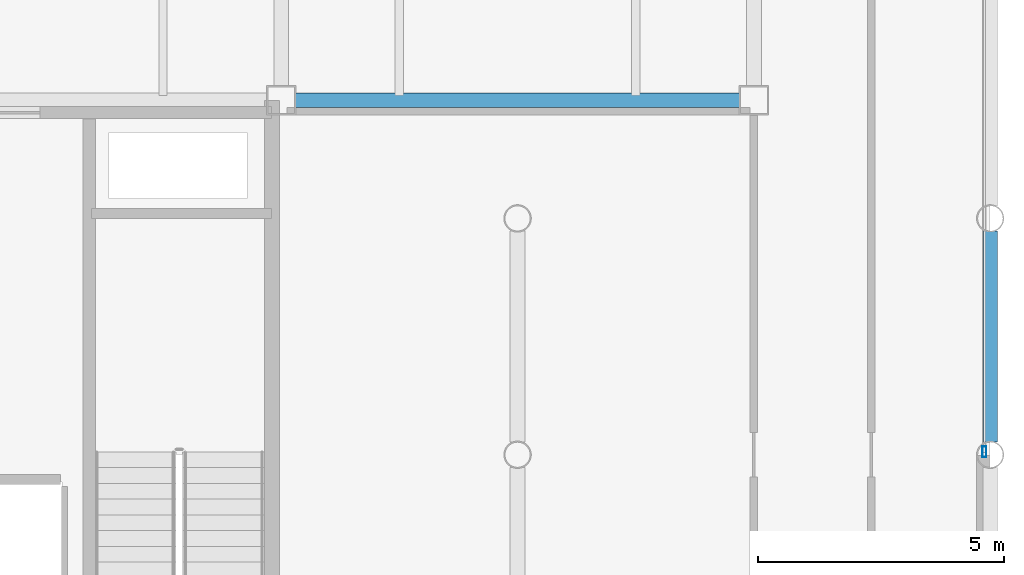
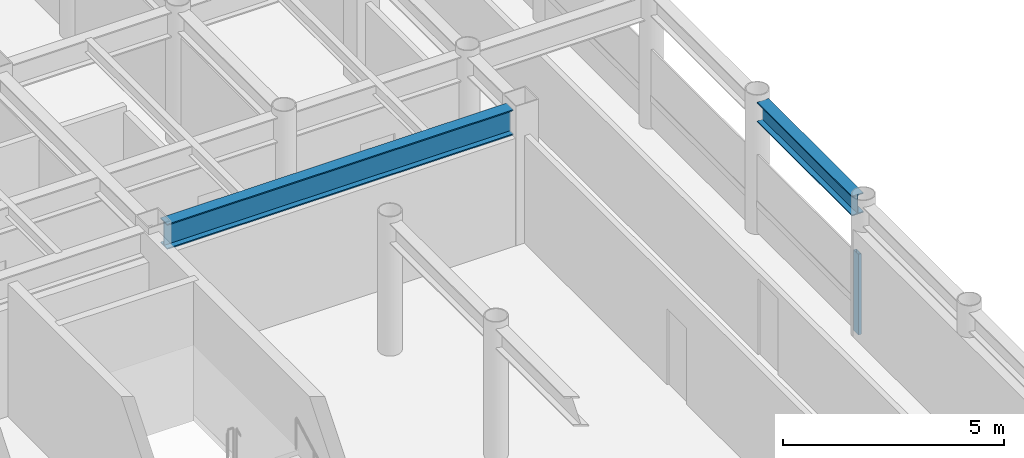
# One storey, part 10 of 22: 2 beams, 1 member, 1 element without a shape of its own.
"""IFC4 building model written with IfcOpenShell, lengths in metres."""

import ifcopenshell
import ifcopenshell.guid

model = None  # the IFC model being written
_history = None  # IfcOwnerHistory: only IFC2X3 demands one
_inside = {}  # id of a spatial element -> (the spatial element, [elements in it])
_under = {}  # id of a project, library or spatial element -> (it, [spatial elements below it])
_declared = {}  # id of a project -> (the project, [libraries it declares])
_typed = {}  # id of a type object -> (the type object, [elements of that type])
_made_of = {}  # id of a material, layer set ... -> (it, [elements and type objects made of it])


def new_model(schema):
    """Start an empty IFC model of exactly this schema.

    Asked for "IFC4X3", IfcOpenShell would pick the latest addendum, in which some entities
    have other attributes; the version numbers below select the first issue.
    IFC2X3 requires an IfcOwnerHistory on every rooted entity: one is made here for all.
    """
    global model, _history
    if schema == "IFC4X3":
        model = ifcopenshell.file(schema_version=(4, 3, 0, 0))
    else:
        model = ifcopenshell.file(schema=schema)
    _inside.clear()
    _under.clear()
    _declared.clear()
    _typed.clear()
    _made_of.clear()
    _history = None
    if model.schema == "IFC2X3":
        org = make("IfcOrganization", Name="unknown")
        user = make(
            "IfcPersonAndOrganization",
            ThePerson=make("IfcPerson", FamilyName="unknown"),
            TheOrganization=org,
        )
        app = make(
            "IfcApplication",
            ApplicationDeveloper=org,
            Version="unknown",
            ApplicationFullName="unknown",
            ApplicationIdentifier="unknown",
        )
        _history = make(
            "IfcOwnerHistory",
            OwningUser=user,
            OwningApplication=app,
            ChangeAction="ADDED",
            CreationDate=0,
        )
    return model


def make(cls, **values):
    """One entity of the class cls with the attributes given. An attribute that is None is left unset."""
    return model.create_entity(
        cls, **{name: value for name, value in values.items() if value is not None}
    )


def rooted(cls, **values):
    """An entity with a GlobalId (a new one), such as an element, a storey or a relation."""
    return make(cls, GlobalId=ifcopenshell.guid.new(), OwnerHistory=_history, **values)


def si_unit(unit_type, name, prefix=None):
    """IfcSIUnit, for example si_unit("LENGTHUNIT", "METRE", prefix="MILLI")."""
    return make("IfcSIUnit", UnitType=unit_type, Prefix=prefix, Name=name)


def assignment(units):
    """IfcUnitAssignment: the units of a project."""
    return None if units is None else make("IfcUnitAssignment", Units=units)


def point(xyz):
    """IfcCartesianPoint."""
    return None if xyz is None else make("IfcCartesianPoint", Coordinates=xyz)


def direction(xyz):
    """IfcDirection."""
    return None if xyz is None else make("IfcDirection", DirectionRatios=xyz)


def frame(location, z_axis=None, x_axis=None):
    """IfcAxis2Placement3D, a coordinate frame: its origin and axes. An axis left out is left unset."""
    return make(
        "IfcAxis2Placement3D",
        Location=point(location),
        Axis=direction(z_axis),
        RefDirection=direction(x_axis),
    )


def frame_2d(location, x_axis=None):
    """IfcAxis2Placement2D, a coordinate frame in the plane: its origin and x axis."""
    return make(
        "IfcAxis2Placement2D", Location=point(location), RefDirection=direction(x_axis)
    )


def origin():
    """The frame at (0, 0, 0) with its axes left unset."""
    return frame((0.0, 0.0, 0.0))


def origin_2d():
    """The frame at (0, 0) in the plane with its x axis left unset."""
    return frame_2d((0.0, 0.0))


def place(relative_to, where):
    """IfcLocalPlacement: puts the frame where relative to a parent placement (None: the world)."""
    return make(
        "IfcLocalPlacement", PlacementRelTo=relative_to, RelativePlacement=where
    )


def context(
    kind, dimensions, precision=None, world=None, true_north=None, identifier=None
):
    """IfcGeometricRepresentationContext, for example the 3D "Model" context."""
    return make(
        "IfcGeometricRepresentationContext",
        ContextIdentifier=identifier,
        ContextType=kind,
        CoordinateSpaceDimension=dimensions,
        Precision=precision,
        WorldCoordinateSystem=world,
        TrueNorth=true_north,
    )


def subcontext(parent, identifier, kind, view, scale=None):
    """IfcGeometricRepresentationSubContext, for example "Body" below "Model"."""
    return make(
        "IfcGeometricRepresentationSubContext",
        ContextIdentifier=identifier,
        ContextType=kind,
        ParentContext=parent,
        TargetScale=scale,
        TargetView=view,
    )


def project(units=None, contexts=None):
    """IfcProject with its units and contexts."""
    return rooted(
        "IfcProject",
        Name="project",
        RepresentationContexts=contexts,
        UnitsInContext=assignment(units),
    )


def spatial(cls, under=None, at=None, **own):
    """A site, building, storey or space (cls), placed at a placement, below another one or the project."""
    s = rooted(cls, ObjectPlacement=at, **own)
    if under is not None:
        _under.setdefault(under.id(), (under, []))[1].append(s)
    return s


def profile(cls, at=None, kind="AREA", **sizes):
    """A parametric profile (cls). Its sizes go by their IFC names, for example OverallWidth=200.0."""
    return make(cls, ProfileType=kind, Position=at, **sizes)


def hollow_rectangle(**sizes):
    """IfcRectangleHollowProfileDef."""
    return profile("IfcRectangleHollowProfileDef", **sizes)


def i_section(**sizes):
    """IfcIShapeProfileDef."""
    return profile("IfcIShapeProfileDef", **sizes)


def extrude(swept, where, along, depth):
    """IfcExtrudedAreaSolid: the profile swept, set in the frame where, extruded along a direction by depth."""
    return make(
        "IfcExtrudedAreaSolid",
        SweptArea=swept,
        Position=where,
        ExtrudedDirection=direction(along),
        Depth=depth,
    )


def shape(context_of_items, identifier, shape_type, items):
    """IfcShapeRepresentation: the items that make up one representation, for example the "Body"."""
    return make(
        "IfcShapeRepresentation",
        ContextOfItems=context_of_items,
        RepresentationIdentifier=identifier,
        RepresentationType=shape_type,
        Items=items,
    )


def material(Name=None, Category=None):
    """IfcMaterial."""
    return make("IfcMaterial", Name=Name, Category=Category)


def layer(
    of_material, thickness, ventilated=None, Name=None, Category=None, Priority=None
):
    """IfcMaterialLayer: one layer of a wall or slab, of a material (None: an air gap)."""
    return make(
        "IfcMaterialLayer",
        Material=of_material,
        LayerThickness=thickness,
        IsVentilated=ventilated,
        Name=Name,
        Category=Category,
        Priority=Priority,
    )


def layer_set(layers, Name=None):
    """IfcMaterialLayerSet."""
    return make("IfcMaterialLayerSet", MaterialLayers=layers, LayerSetName=Name)


def material_profile(
    of_material, cross_section, Name=None, Category=None, Priority=None
):
    """IfcMaterialProfile: a cross section and its material."""
    return make(
        "IfcMaterialProfile",
        Name=Name,
        Material=of_material,
        Profile=cross_section,
        Priority=Priority,
        Category=Category,
    )


def profile_set(profiles, Name=None, composite=None):
    """IfcMaterialProfileSet."""
    return make(
        "IfcMaterialProfileSet",
        Name=Name,
        MaterialProfiles=profiles,
        CompositeProfile=composite,
    )


def made_of(thing, what):
    """Note that an element or type object is made of a material, layer set ...; save() writes the relation."""
    if what is not None:
        _made_of.setdefault(what.id(), (what, []))[1].append(thing)
    return thing


def type_object(cls, material=None, **own):
    """A type object (cls), such as IfcWallType, which elements share."""
    return made_of(rooted(cls, **own), material)


def element(
    cls,
    number,
    at=None,
    inside=None,
    cuts=None,
    type_object=None,
    material=None,
    context=None,
    identifier="Body",
    shape_type=None,
    held_by="IfcProductDefinitionShape",
    body=None,
    shapes=None,
    **own,
):
    """One element of the class cls, such as IfcWall. Its Tag is "e" and its number.

    at: its placement. inside: the storey or other place that contains it. cuts: it is an
    opening in that element (IfcRelVoidsElement). A single representation is given by context,
    identifier, shape_type and body (its items); several are given by shapes. held_by: the class
    of the entity that holds the representations. save() writes the other relations.
    """
    e = rooted(cls, Tag="e%d" % number, ObjectPlacement=at, **own)
    if body is not None:
        shapes = [shape(context, identifier, shape_type, body)]
    if shapes is not None:
        e.Representation = make(held_by, Representations=shapes)
    if inside is not None:
        _inside.setdefault(inside.id(), (inside, []))[1].append(e)
    if cuts is not None:
        rooted(
            "IfcRelVoidsElement", RelatingBuildingElement=cuts, RelatedOpeningElement=e
        )
    if type_object is not None:
        _typed.setdefault(type_object.id(), (type_object, []))[1].append(e)
    return made_of(e, material)


def aggregate(whole, parts):
    """IfcRelAggregates: a whole, such as a stair, and the parts it consists of."""
    return rooted("IfcRelAggregates", RelatingObject=whole, RelatedObjects=parts)


def save(model, path):
    """Write the relations noted so far, then the file.

    IfcRelAggregates (storeys below a building ...), IfcRelContainedInSpatialStructure (elements
    in a storey), IfcRelDefinesByType, IfcRelAssociatesMaterial and IfcRelDeclares: one each for
    every whole, place, type object, material and project.
    """
    for whole, parts in _under.values():
        aggregate(whole, parts)
    for where, things in _inside.values():
        rooted(
            "IfcRelContainedInSpatialStructure",
            RelatedElements=things,
            RelatingStructure=where,
        )
    for kind, things in _typed.values():
        rooted("IfcRelDefinesByType", RelatedObjects=things, RelatingType=kind)
    for what, things in _made_of.values():
        rooted("IfcRelAssociatesMaterial", RelatedObjects=things, RelatingMaterial=what)
    for by, libraries in _declared.values():
        rooted("IfcRelDeclares", RelatingContext=by, RelatedDefinitions=libraries)
    model.write(path)


model = new_model("IFC4")

# Units and contexts
model_context = context("Model", 3, precision=1e-05, world=origin(), true_north=direction((0.0, 1.0)))
body_context = subcontext(model_context, "Body", "Model", "MODEL_VIEW")
ifc_project = project(units=[si_unit("LENGTHUNIT", "METRE"), si_unit("AREAUNIT", "SQUARE_METRE"), si_unit("VOLUMEUNIT", "CUBIC_METRE"), si_unit("PLANEANGLEUNIT", "RADIAN"), si_unit("MASSUNIT", "GRAM", prefix="KILO")], contexts=[model_context])

# Site, building, storey
site_placement = place(None, origin())
site = spatial("IfcSite", under=ifc_project, at=site_placement, CompositionType="ELEMENT")
building_placement = place(site_placement, origin())
building = spatial("IfcBuilding", under=site, at=building_placement, Name="Kallvorn Hotel Tower", CompositionType="ELEMENT")
storey_placement = place(building_placement, frame((0.0, 0.0, 260.800048828125)))
storey = spatial("IfcBuildingStorey", under=building, at=storey_placement, Name="L65", CompositionType="ELEMENT", Elevation=260.800048828125)

# Beams
ifc_material_1 = material(Name="Structural steel S355JR", Category="steel")
ifc_material_profile_1 = material_profile(ifc_material_1, i_section(OverallWidth=0.300048828125, OverallDepth=0.550048828125, WebThickness=0.014892578125, FlangeThickness=0.029052734375, at=origin_2d()), Name="HE 550 B")
ifc_profile_set_1 = profile_set([ifc_material_profile_1], Name="Structural steel S355JR")
beam_type_1 = type_object("IfcBeamType", Name="BM_HE550B", PredefinedType="SPANDREL", material=ifc_profile_set_1)
beam_1_placement = place(storey_placement, frame((28.800048828125, 0.25439453125, 3.39501953125), z_axis=(0.0, 1.0, 0.0), x_axis=(-1.0, 0.0, 0.0)))
element("IfcBeam", 1, at=beam_1_placement, inside=storey, type_object=beam_type_1, Name="L66 Primary Y-Girder 147", PredefinedType="SPANDREL", context=body_context, shape_type="SweptSolid", body=[
    extrude(i_section(OverallWidth=0.300048828125, OverallDepth=0.550048828125, WebThickness=0.014892578125, FlangeThickness=0.029052734375, at=origin_2d()), origin(), (0.0, 0.0, 1.0), 4.291015625),
])
ifc_material_2 = material(Name="Structural steel S355JR", Category="steel")
ifc_material_profile_2 = material_profile(ifc_material_2, i_section(OverallWidth=0.300048828125, OverallDepth=0.699951171875, WebThickness=0.01708984375, FlangeThickness=0.031982421875, at=origin_2d()), Name="HE 700 B")
ifc_profile_set_2 = profile_set([ifc_material_profile_2], Name="Structural steel S355JR")
beam_type_2 = type_object("IfcBeamType", Name="BM_HE700B", PredefinedType="BEAM", material=ifc_profile_set_2)
beam_2_placement = place(storey_placement, frame((14.675048828125, 7.199951171875, 3.320068359375), z_axis=(1.0, 0.0, 0.0), x_axis=(0.0, 1.0, 0.0)))
element("IfcBeam", 2, at=beam_2_placement, inside=storey, type_object=beam_type_2, Name="L66 Primary X-Girder 40", PredefinedType="BEAM", context=body_context, shape_type="SweptSolid", body=[
    extrude(i_section(OverallWidth=0.300048828125, OverallDepth=0.699951171875, WebThickness=0.01708984375, FlangeThickness=0.031982421875, at=origin_2d()), origin(), (0.0, 0.0, 1.0), 9.050048828125),
])

# Curtain wall, member
ifc_material_3 = material(Name="Thermally broken black-anodised aluminium AA 6063-T6", Category="aluminium")
ifc_layer = layer(ifc_material_3, 0.22998046875)
ifc_layer_set = layer_set([ifc_layer], Name="CW_SYS_5_HOTEL_HIGH")
curtain_wall_type = type_object("IfcCurtainWallType", Name="CW_SYS_5_HOTEL_HIGH", PredefinedType="USERDEFINED", material=ifc_layer_set)
curtain_wall_placement = place(storey_placement, origin())
curtain_wall = element("IfcCurtainWall", 3, at=curtain_wall_placement, inside=storey, type_object=curtain_wall_type, Name="L65 Dark-Glass Curtain Wall CW-L65-EN", ObjectType="UNITISED CURTAIN WALL", PredefinedType="USERDEFINED")
ifc_material_4 = material(Name="Thermally broken black-anodised aluminium AA 6063-T6", Category="aluminium")
ifc_material_profile_3 = material_profile(ifc_material_4, hollow_rectangle(XDim=0.080078125, YDim=0.219970703125, WallThickness=0.0048828125, at=origin_2d()), Name="MUL 220x80")
ifc_profile_set_3 = profile_set([ifc_material_profile_3], Name="Thermally broken black-anodised aluminium AA 6063-T6")
member_type = type_object("IfcMemberType", Name="CW_MULLION_220x80", PredefinedType="MULLION", material=ifc_profile_set_3)
member_placement = place(storey_placement, frame((28.679931640625, 0.06005859375, 0.02001953125), z_axis=(0.0, 0.0, 1.0), x_axis=(1.0, 0.0, 0.0)))
member = element("IfcMember", 4, at=member_placement, type_object=member_type, Name="CW-L65-EN Mullion 00", PredefinedType="MULLION", context=body_context, shape_type="SweptSolid", body=[
    extrude(hollow_rectangle(XDim=0.080078125, YDim=0.219970703125, WallThickness=0.0048828125, at=origin_2d()), origin(), (0.0, 0.0, 1.0), 2.22998046875),
])
aggregate(curtain_wall, [member])

save(model, "model.ifc")
